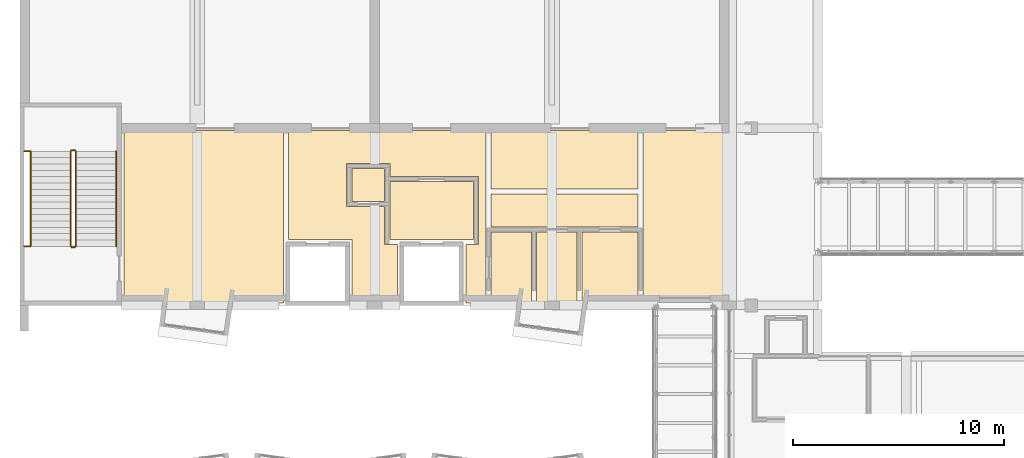
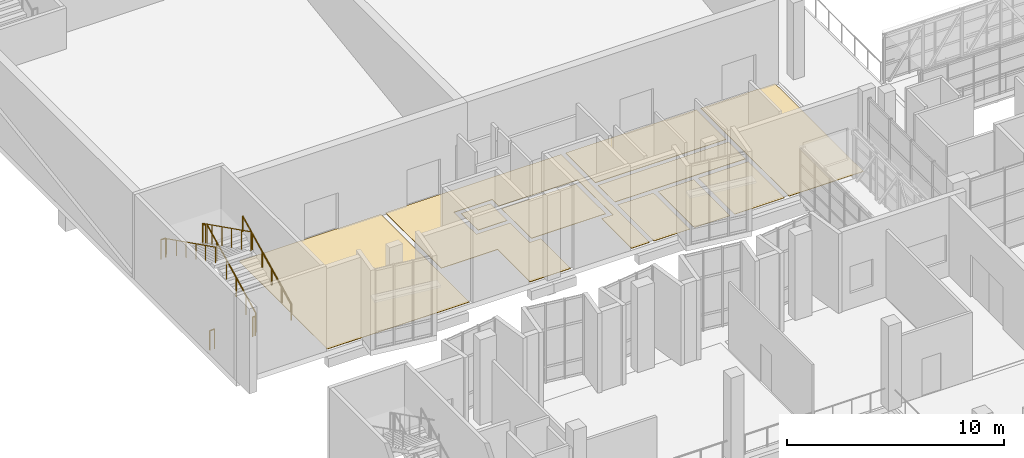
# One storey, part 62 of 67: 10 coverings, 8 railings.
"""IFC4 building model written with IfcOpenShell, lengths in metres."""

from ifc_helpers import new_model, si_unit, direction, frame, origin, origin_2d, place, context, subcontext, project, spatial, polyline, circle, outline, extrude, material, layer, layer_set, type_object, element, save


model = new_model("IFC4")

# Units and contexts
model_context = context("Model", 3, precision=1e-05, world=origin(), true_north=direction((0.0, 1.0)))
body_context = subcontext(model_context, "Body", "Model", "MODEL_VIEW")
ifc_project = project(units=[si_unit("LENGTHUNIT", "METRE"), si_unit("AREAUNIT", "SQUARE_METRE"), si_unit("VOLUMEUNIT", "CUBIC_METRE"), si_unit("PLANEANGLEUNIT", "RADIAN"), si_unit("MASSUNIT", "GRAM", prefix="KILO")], contexts=[model_context])

# Site, building, storey
site_placement = place(None, origin())
site = spatial("IfcSite", under=ifc_project, at=site_placement, CompositionType="ELEMENT")
building_placement = place(site_placement, origin())
building = spatial("IfcBuilding", under=site, at=building_placement, Name="Kiln Court Media Centre", CompositionType="ELEMENT")
storey_placement = place(building_placement, frame((0.0, 0.0, 19.800048828125)))
storey = spatial("IfcBuildingStorey", under=building, at=storey_placement, Name="L04", CompositionType="ELEMENT", Elevation=19.800048828125)

# Coverings
ifc_material_1 = material(Name="Ceramic tile")
ifc_layer_1 = layer(ifc_material_1, 0.011962890625)
ifc_layer_set_1 = layer_set([ifc_layer_1], Name="Ceramic tile floor finish 12")
covering_type_1 = type_object("IfcCoveringType", Name="Ceramic tile floor finish 12", PredefinedType="FLOORING", material=ifc_layer_set_1)
covering_1_placement = place(storey_placement, origin())
element("IfcCovering", 1, at=covering_1_placement, inside=storey, type_object=covering_type_1, Name="Women's WC floor finish", PredefinedType="FLOORING", context=body_context, shape_type="SweptSolid", body=[
    extrude(outline(polyline([(24.22998046875, 33.719970703125), (24.22998046875, 37.080078125), (22.320068359375, 37.080078125), (22.320068359375, 33.719970703125), (24.22998046875, 33.719970703125)])), origin(), (0.0, 0.0, 1.0), 0.011962890625),
])
covering_2_placement = place(storey_placement, origin())
element("IfcCovering", 2, at=covering_2_placement, inside=storey, type_object=covering_type_1, Name="Men's WC floor finish", PredefinedType="FLOORING", context=body_context, shape_type="SweptSolid", body=[
    extrude(outline(polyline([(26.3798828125, 33.719970703125), (26.3798828125, 37.080078125), (24.469970703125, 37.080078125), (24.469970703125, 33.719970703125), (26.3798828125, 33.719970703125)])), origin(), (0.0, 0.0, 1.0), 0.011962890625),
])
covering_3_placement = place(storey_placement, origin())
element("IfcCovering", 3, at=covering_3_placement, inside=storey, type_object=covering_type_1, Name="Accessible WC floor finish", PredefinedType="FLOORING", context=body_context, shape_type="SweptSolid", body=[
    extrude(outline(polyline([(29.280029296875, 33.719970703125), (29.280029296875, 37.080078125), (26.6201171875, 37.080078125), (26.6201171875, 33.719970703125), (29.280029296875, 33.719970703125)])), origin(), (0.0, 0.0, 1.0), 0.011962890625),
])
ifc_material_2 = material(Name="Engineered timber", Category="wood")
ifc_layer_2 = layer(ifc_material_2, 0.02001953125)
ifc_layer_set_2 = layer_set([ifc_layer_2], Name="Engineered timber floor finish 20")
covering_type_2 = type_object("IfcCoveringType", Name="Engineered timber floor finish 20", PredefinedType="FLOORING", material=ifc_layer_set_2)
covering_4_placement = place(storey_placement, origin())
element("IfcCovering", 4, at=covering_4_placement, inside=storey, type_object=covering_type_2, Name="VIP Lounge floor finish", PredefinedType="FLOORING", context=body_context, shape_type="SweptSolid", body=[
    extrude(outline(polyline([(12.47998046875, 41.8798828125), (4.919921875, 41.8798828125), (4.919921875, 33.719970703125), (12.47998046875, 33.719970703125), (12.47998046875, 41.8798828125)])), origin(), (0.0, 0.0, 1.0), 0.02001953125),
])
ifc_material_3 = material(Name="Terrazzo")
ifc_layer_3 = layer(ifc_material_3, 0.02490234375)
ifc_layer_set_3 = layer_set([ifc_layer_3], Name="Polished terrazzo floor finish 25")
covering_type_3 = type_object("IfcCoveringType", Name="Polished terrazzo floor finish 25", PredefinedType="FLOORING", material=ifc_layer_set_3)
covering_5_placement = place(storey_placement, origin())
element("IfcCovering", 5, at=covering_5_placement, inside=storey, type_object=covering_type_3, Name="Cinema Lobby floor finish", PredefinedType="FLOORING", context=body_context, shape_type="SweptSolid", body=[
    extrude(outline(polyline([(17.280029296875, 36.47998046875), (17.280029296875, 38.280029296875), (15.47998046875, 38.280029296875), (15.47998046875, 40.320068359375), (17.52001953125, 40.320068359375), (17.52001953125, 39.719970703125), (21.719970703125, 39.719970703125), (21.719970703125, 36.47998046875), (21.1201171875, 36.47998046875), (21.1201171875, 33.719970703125), (22.080078125, 33.719970703125), (22.080078125, 41.8798828125), (12.719970703125, 41.8798828125), (12.719970703125, 36.719970703125), (15.719970703125, 36.719970703125), (15.719970703125, 33.719970703125), (17.8798828125, 33.719970703125), (17.8798828125, 36.47998046875), (17.280029296875, 36.47998046875)])), origin(), (0.0, 0.0, 1.0), 0.02490234375),
])
covering_6_placement = place(storey_placement, origin())
element("IfcCovering", 6, at=covering_6_placement, inside=storey, type_object=covering_type_3, Name="Foyer Link floor finish", PredefinedType="FLOORING", context=body_context, shape_type="SweptSolid", body=[
    extrude(outline(polyline([(29.52001953125, 33.719970703125), (33.47998046875, 33.719970703125), (33.47998046875, 41.8798828125), (29.52001953125, 41.8798828125), (29.52001953125, 33.719970703125)])), origin(), (0.0, 0.0, 1.0), 0.02490234375),
])
covering_7_placement = place(storey_placement, origin())
element("IfcCovering", 7, at=covering_7_placement, inside=storey, type_object=covering_type_3, Name="Fire-fighting Lift Lobby floor finish", PredefinedType="FLOORING", context=body_context, shape_type="SweptSolid", body=[
    extrude(outline(polyline([(17.52001953125, 36.719970703125), (21.47998046875, 36.719970703125), (21.47998046875, 39.47998046875), (17.52001953125, 39.47998046875), (17.52001953125, 36.719970703125)])), origin(), (0.0, 0.0, 1.0), 0.02490234375),
])
covering_8_placement = place(storey_placement, origin())
element("IfcCovering", 8, at=covering_8_placement, inside=storey, type_object=covering_type_3, Name="Toilet Lobby floor finish", PredefinedType="FLOORING", context=body_context, shape_type="SweptSolid", body=[
    extrude(outline(polyline([(29.280029296875, 37.320068359375), (29.280029296875, 38.8798828125), (22.320068359375, 38.8798828125), (22.320068359375, 37.320068359375), (29.280029296875, 37.320068359375)])), origin(), (0.0, 0.0, 1.0), 0.02490234375),
])
covering_9_placement = place(storey_placement, origin())
element("IfcCovering", 9, at=covering_9_placement, inside=storey, type_object=covering_type_3, Name="Wheelchair Refuge floor finish", PredefinedType="FLOORING", context=body_context, shape_type="SweptSolid", body=[
    extrude(outline(polyline([(15.719970703125, 38.52001953125), (17.280029296875, 38.52001953125), (17.280029296875, 40.080078125), (15.719970703125, 40.080078125), (15.719970703125, 38.52001953125)])), origin(), (0.0, 0.0, 1.0), 0.02490234375),
])
covering_10_placement = place(storey_placement, origin())
element("IfcCovering", 10, at=covering_10_placement, inside=storey, type_object=covering_type_3, Name="Cinema Lobby floor finish", PredefinedType="FLOORING", context=body_context, shape_type="SweptSolid", body=[
    extrude(outline(polyline([(22.320068359375, 39.1201171875), (29.280029296875, 39.1201171875), (29.280029296875, 41.8798828125), (22.320068359375, 41.8798828125), (22.320068359375, 39.1201171875)])), origin(), (0.0, 0.0, 1.0), 0.02490234375),
])

# Railings
ifc_material_4 = material(Name="Steel S275", Category="steel")
railing_type_1 = type_object("IfcRailingType", Name="Steel S275 stair guard 1100", PredefinedType="GUARDRAIL", material=ifc_material_4)
railing_1_placement = place(storey_placement, frame((2.64990234375, 36.39990234375, 0.14990234375)))
element("IfcRailing", 11, at=railing_1_placement, inside=storey, type_object=railing_type_1, Name="ST-06 stair guard", PredefinedType="GUARDRAIL", context=body_context, shape_type="SweptSolid", body=[
    extrude(circle(Radius=0.02392578125, at=origin_2d()), frame((0.0, 0.0, 1.076171875), z_axis=(0.0, 0.894427191, 0.4472135955), x_axis=(-1.0, 0.0, 0.0)), (0.0, 0.0, 1.0), 5.03125),
    extrude(circle(Radius=0.02099609375, at=origin_2d()), origin(), (0.0, 0.0, 1.0), 1.052001953125),
    extrude(circle(Radius=0.02099609375, at=origin_2d()), frame((0.0, 0.89990234375, 0.449951171875)), (0.0, 0.0, 1.0), 1.052001953125),
    extrude(circle(Radius=0.02099609375, at=origin_2d()), frame((0.0, 1.800048828125, 0.89990234375)), (0.0, 0.0, 1.0), 1.052001953125),
    extrude(circle(Radius=0.02099609375, at=origin_2d()), frame((0.0, 2.699951171875, 1.35009765625)), (0.0, 0.0, 1.0), 1.052001953125),
    extrude(circle(Radius=0.02099609375, at=origin_2d()), frame((0.0, 3.60009765625, 1.800048828125)), (0.0, 0.0, 1.0), 1.052001953125),
    extrude(circle(Radius=0.02099609375, at=origin_2d()), frame((0.0, 4.5, 2.25)), (0.0, 0.0, 1.0), 1.052001953125),
])
railing_2_placement = place(storey_placement, frame((2.60009765625, 40.949951171875, 2.39990234375)))
element("IfcRailing", 12, at=railing_2_placement, inside=storey, type_object=railing_type_1, Name="ST-06 stair guard", PredefinedType="GUARDRAIL", context=body_context, shape_type="SweptSolid", body=[
    extrude(circle(Radius=0.02392578125, at=origin_2d()), frame((0.0, 0.0, 1.076171875), z_axis=(-1.0, 0.0, 0.0), x_axis=(0.0, -1.0, 0.0)), (0.0, 0.0, 1.0), 0.150146484375),
    extrude(circle(Radius=0.02099609375, at=origin_2d()), origin(), (0.0, 0.0, 1.0), 1.052001953125),
    extrude(circle(Radius=0.02099609375, at=origin_2d()), frame((-0.150146484375, 0.0, 0.0)), (0.0, 0.0, 1.0), 1.052001953125),
])
railing_3_placement = place(storey_placement, frame((2.39990234375, 40.89990234375, 2.550048828125)))
element("IfcRailing", 13, at=railing_3_placement, inside=storey, type_object=railing_type_1, Name="ST-06 stair guard", PredefinedType="GUARDRAIL", context=body_context, shape_type="SweptSolid", body=[
    extrude(circle(Radius=0.02392578125, at=origin_2d()), frame((0.0, 0.0, 1.076171875), z_axis=(0.0, -0.894427191, 0.4472135955), x_axis=(1.0, 0.0, 0.0)), (0.0, 0.0, 1.0), 5.03125),
    extrude(circle(Radius=0.02099609375, at=origin_2d()), origin(), (0.0, 0.0, 1.0), 1.052001953125),
    extrude(circle(Radius=0.02099609375, at=origin_2d()), frame((0.0, -0.89990234375, 0.449951171875)), (0.0, 0.0, 1.0), 1.052001953125),
    extrude(circle(Radius=0.02099609375, at=origin_2d()), frame((0.0, -1.800048828125, 0.89990234375)), (0.0, 0.0, 1.0), 1.052001953125),
    extrude(circle(Radius=0.02099609375, at=origin_2d()), frame((0.0, -2.699951171875, 1.35009765625)), (0.0, 0.0, 1.0), 1.052001953125),
    extrude(circle(Radius=0.02099609375, at=origin_2d()), frame((0.0, -3.60009765625, 1.800048828125)), (0.0, 0.0, 1.0), 1.052001953125),
    extrude(circle(Radius=0.02099609375, at=origin_2d()), frame((0.0, -4.5, 2.25)), (0.0, 0.0, 1.0), 1.052001953125),
])
railing_4_placement = place(storey_placement, frame((2.60009765625, 36.35009765625, 0.0)))
element("IfcRailing", 14, at=railing_4_placement, inside=storey, type_object=railing_type_1, Name="ST-06 stair guard", PredefinedType="GUARDRAIL", context=body_context, shape_type="SweptSolid", body=[
    extrude(circle(Radius=0.02392578125, at=origin_2d()), frame((0.0, 0.0, 1.076171875), z_axis=(-1.0, 0.0, 0.0), x_axis=(0.0, -1.0, 0.0)), (0.0, 0.0, 1.0), 0.150146484375),
    extrude(circle(Radius=0.02099609375, at=origin_2d()), origin(), (0.0, 0.0, 1.0), 1.052001953125),
    extrude(circle(Radius=0.02099609375, at=origin_2d()), frame((-0.150146484375, 0.0, 0.0)), (0.0, 0.0, 1.0), 1.052001953125),
])
for number, where, name in (
    (15, (0.449951171875, 40.89990234375, 2.39990234375), "ST-06 landing edge guard"),
    (16, (0.449951171875, 36.39990234375, 0.0), "ST-06 landing edge guard"),
):
    element("IfcRailing", number, at=place(storey_placement, frame(where)), inside=storey, type_object=railing_type_1, Name=name, PredefinedType="GUARDRAIL", context=body_context, shape_type="SweptSolid", body=[
        extrude(circle(Radius=0.02392578125, at=origin_2d()), frame((0.0, 0.0, 1.076171875), z_axis=(-1.0, 0.0, 0.0), x_axis=(0.0, -1.0, 0.0)), (0.0, 0.0, 1.0), 0.25),
        extrude(circle(Radius=0.02099609375, at=origin_2d()), origin(), (0.0, 0.0, 1.0), 1.052001953125),
        extrude(circle(Radius=0.02099609375, at=origin_2d()), frame((-0.25, 0.0, 0.0)), (0.0, 0.0, 1.0), 1.052001953125),
    ])
ifc_material_5 = material(Name="Steel S275", Category="steel")
railing_type_2 = type_object("IfcRailingType", Name="Steel S275 stair handrail 900", PredefinedType="HANDRAIL", material=ifc_material_5)
railing_5_placement = place(storey_placement, frame((4.550048828125, 36.39990234375, 0.14990234375)))
element("IfcRailing", 17, at=railing_5_placement, inside=storey, type_object=railing_type_2, Name="ST-06 stair handrail", PredefinedType="HANDRAIL", context=body_context, shape_type="SweptSolid", body=[
    extrude(circle(Radius=0.02392578125, at=origin_2d()), frame((0.0, 0.0, 0.8759765625), z_axis=(0.0, 0.894427191, 0.4472135955), x_axis=(-1.0, 0.0, 0.0)), (0.0, 0.0, 1.0), 5.03125),
    extrude(circle(Radius=0.02099609375, at=origin_2d()), origin(), (0.0, 0.0, 1.0), 0.851806640625),
    extrude(circle(Radius=0.02099609375, at=origin_2d()), frame((0.0, 0.89990234375, 0.449951171875)), (0.0, 0.0, 1.0), 0.851806640625),
    extrude(circle(Radius=0.02099609375, at=origin_2d()), frame((0.0, 1.800048828125, 0.89990234375)), (0.0, 0.0, 1.0), 0.851806640625),
    extrude(circle(Radius=0.02099609375, at=origin_2d()), frame((0.0, 2.699951171875, 1.35009765625)), (0.0, 0.0, 1.0), 0.851806640625),
    extrude(circle(Radius=0.02099609375, at=origin_2d()), frame((0.0, 3.60009765625, 1.800048828125)), (0.0, 0.0, 1.0), 0.851806640625),
    extrude(circle(Radius=0.02099609375, at=origin_2d()), frame((0.0, 4.5, 2.25)), (0.0, 0.0, 1.0), 0.851806640625),
])
railing_6_placement = place(storey_placement, frame((0.5, 40.89990234375, 2.550048828125)))
element("IfcRailing", 18, at=railing_6_placement, inside=storey, type_object=railing_type_2, Name="ST-06 stair handrail", PredefinedType="HANDRAIL", context=body_context, shape_type="SweptSolid", body=[
    extrude(circle(Radius=0.02392578125, at=origin_2d()), frame((0.0, 0.0, 0.8759765625), z_axis=(0.0, -0.894427191, 0.4472135955), x_axis=(1.0, 0.0, 0.0)), (0.0, 0.0, 1.0), 5.03125),
    extrude(circle(Radius=0.02099609375, at=origin_2d()), origin(), (0.0, 0.0, 1.0), 0.851806640625),
    extrude(circle(Radius=0.02099609375, at=origin_2d()), frame((0.0, -0.89990234375, 0.449951171875)), (0.0, 0.0, 1.0), 0.851806640625),
    extrude(circle(Radius=0.02099609375, at=origin_2d()), frame((0.0, -1.800048828125, 0.89990234375)), (0.0, 0.0, 1.0), 0.851806640625),
    extrude(circle(Radius=0.02099609375, at=origin_2d()), frame((0.0, -2.699951171875, 1.35009765625)), (0.0, 0.0, 1.0), 0.851806640625),
    extrude(circle(Radius=0.02099609375, at=origin_2d()), frame((0.0, -3.60009765625, 1.800048828125)), (0.0, 0.0, 1.0), 0.851806640625),
    extrude(circle(Radius=0.02099609375, at=origin_2d()), frame((0.0, -4.5, 2.25)), (0.0, 0.0, 1.0), 0.851806640625),
])

save(model, "model.ifc")
